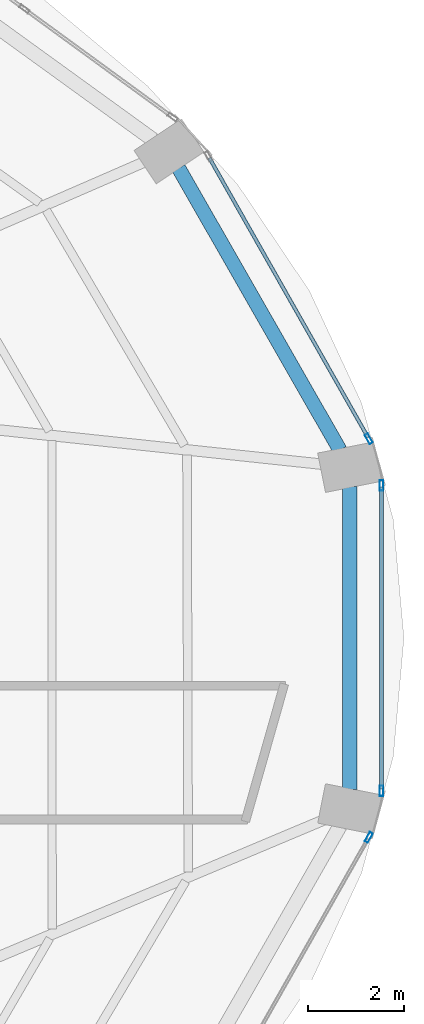
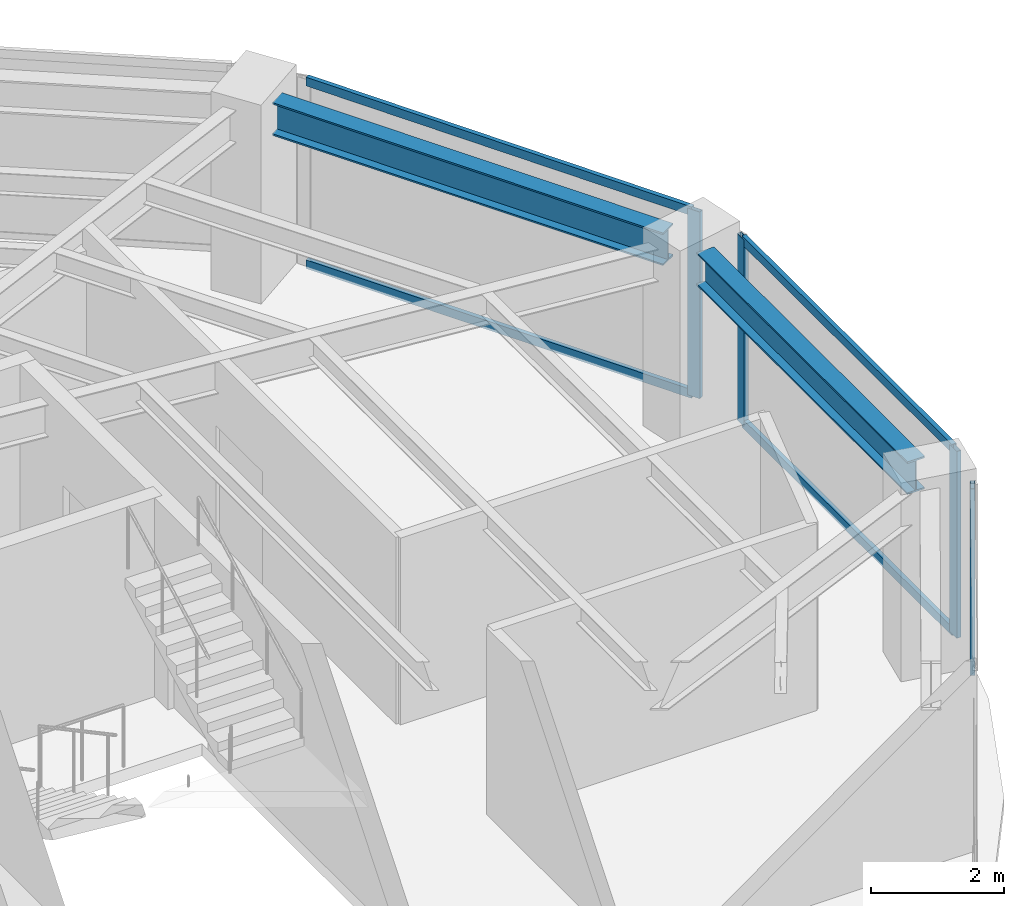
# One storey, part 14 of 24: 8 members, 2 beams, 3 elements without a shape of their own.
"""IFC4 building model written with IfcOpenShell, lengths in metres."""

import ifcopenshell
import ifcopenshell.guid

model = None  # the IFC model being written
_history = None  # IfcOwnerHistory: only IFC2X3 demands one
_inside = {}  # id of a spatial element -> (the spatial element, [elements in it])
_under = {}  # id of a project, library or spatial element -> (it, [spatial elements below it])
_declared = {}  # id of a project -> (the project, [libraries it declares])
_typed = {}  # id of a type object -> (the type object, [elements of that type])
_made_of = {}  # id of a material, layer set ... -> (it, [elements and type objects made of it])


def new_model(schema):
    """Start an empty IFC model of exactly this schema.

    Asked for "IFC4X3", IfcOpenShell would pick the latest addendum, in which some entities
    have other attributes; the version numbers below select the first issue.
    IFC2X3 requires an IfcOwnerHistory on every rooted entity: one is made here for all.
    """
    global model, _history
    if schema == "IFC4X3":
        model = ifcopenshell.file(schema_version=(4, 3, 0, 0))
    else:
        model = ifcopenshell.file(schema=schema)
    _inside.clear()
    _under.clear()
    _declared.clear()
    _typed.clear()
    _made_of.clear()
    _history = None
    if model.schema == "IFC2X3":
        org = make("IfcOrganization", Name="unknown")
        user = make(
            "IfcPersonAndOrganization",
            ThePerson=make("IfcPerson", FamilyName="unknown"),
            TheOrganization=org,
        )
        app = make(
            "IfcApplication",
            ApplicationDeveloper=org,
            Version="unknown",
            ApplicationFullName="unknown",
            ApplicationIdentifier="unknown",
        )
        _history = make(
            "IfcOwnerHistory",
            OwningUser=user,
            OwningApplication=app,
            ChangeAction="ADDED",
            CreationDate=0,
        )
    return model


def make(cls, **values):
    """One entity of the class cls with the attributes given. An attribute that is None is left unset."""
    return model.create_entity(
        cls, **{name: value for name, value in values.items() if value is not None}
    )


def rooted(cls, **values):
    """An entity with a GlobalId (a new one), such as an element, a storey or a relation."""
    return make(cls, GlobalId=ifcopenshell.guid.new(), OwnerHistory=_history, **values)


def si_unit(unit_type, name, prefix=None):
    """IfcSIUnit, for example si_unit("LENGTHUNIT", "METRE", prefix="MILLI")."""
    return make("IfcSIUnit", UnitType=unit_type, Prefix=prefix, Name=name)


def assignment(units):
    """IfcUnitAssignment: the units of a project."""
    return None if units is None else make("IfcUnitAssignment", Units=units)


def point(xyz):
    """IfcCartesianPoint."""
    return None if xyz is None else make("IfcCartesianPoint", Coordinates=xyz)


def direction(xyz):
    """IfcDirection."""
    return None if xyz is None else make("IfcDirection", DirectionRatios=xyz)


def frame(location, z_axis=None, x_axis=None):
    """IfcAxis2Placement3D, a coordinate frame: its origin and axes. An axis left out is left unset."""
    return make(
        "IfcAxis2Placement3D",
        Location=point(location),
        Axis=direction(z_axis),
        RefDirection=direction(x_axis),
    )


def frame_2d(location, x_axis=None):
    """IfcAxis2Placement2D, a coordinate frame in the plane: its origin and x axis."""
    return make(
        "IfcAxis2Placement2D", Location=point(location), RefDirection=direction(x_axis)
    )


def origin():
    """The frame at (0, 0, 0) with its axes left unset."""
    return frame((0.0, 0.0, 0.0))


def origin_2d():
    """The frame at (0, 0) in the plane with its x axis left unset."""
    return frame_2d((0.0, 0.0))


def place(relative_to, where):
    """IfcLocalPlacement: puts the frame where relative to a parent placement (None: the world)."""
    return make(
        "IfcLocalPlacement", PlacementRelTo=relative_to, RelativePlacement=where
    )


def context(
    kind, dimensions, precision=None, world=None, true_north=None, identifier=None
):
    """IfcGeometricRepresentationContext, for example the 3D "Model" context."""
    return make(
        "IfcGeometricRepresentationContext",
        ContextIdentifier=identifier,
        ContextType=kind,
        CoordinateSpaceDimension=dimensions,
        Precision=precision,
        WorldCoordinateSystem=world,
        TrueNorth=true_north,
    )


def subcontext(parent, identifier, kind, view, scale=None):
    """IfcGeometricRepresentationSubContext, for example "Body" below "Model"."""
    return make(
        "IfcGeometricRepresentationSubContext",
        ContextIdentifier=identifier,
        ContextType=kind,
        ParentContext=parent,
        TargetScale=scale,
        TargetView=view,
    )


def project(units=None, contexts=None):
    """IfcProject with its units and contexts."""
    return rooted(
        "IfcProject",
        Name="project",
        RepresentationContexts=contexts,
        UnitsInContext=assignment(units),
    )


def spatial(cls, under=None, at=None, **own):
    """A site, building, storey or space (cls), placed at a placement, below another one or the project."""
    s = rooted(cls, ObjectPlacement=at, **own)
    if under is not None:
        _under.setdefault(under.id(), (under, []))[1].append(s)
    return s


def profile(cls, at=None, kind="AREA", **sizes):
    """A parametric profile (cls). Its sizes go by their IFC names, for example OverallWidth=200.0."""
    return make(cls, ProfileType=kind, Position=at, **sizes)


def hollow_rectangle(**sizes):
    """IfcRectangleHollowProfileDef."""
    return profile("IfcRectangleHollowProfileDef", **sizes)


def i_section(**sizes):
    """IfcIShapeProfileDef."""
    return profile("IfcIShapeProfileDef", **sizes)


def extrude(swept, where, along, depth):
    """IfcExtrudedAreaSolid: the profile swept, set in the frame where, extruded along a direction by depth."""
    return make(
        "IfcExtrudedAreaSolid",
        SweptArea=swept,
        Position=where,
        ExtrudedDirection=direction(along),
        Depth=depth,
    )


def shape(context_of_items, identifier, shape_type, items):
    """IfcShapeRepresentation: the items that make up one representation, for example the "Body"."""
    return make(
        "IfcShapeRepresentation",
        ContextOfItems=context_of_items,
        RepresentationIdentifier=identifier,
        RepresentationType=shape_type,
        Items=items,
    )


def material(Name=None, Category=None):
    """IfcMaterial."""
    return make("IfcMaterial", Name=Name, Category=Category)


def layer(
    of_material, thickness, ventilated=None, Name=None, Category=None, Priority=None
):
    """IfcMaterialLayer: one layer of a wall or slab, of a material (None: an air gap)."""
    return make(
        "IfcMaterialLayer",
        Material=of_material,
        LayerThickness=thickness,
        IsVentilated=ventilated,
        Name=Name,
        Category=Category,
        Priority=Priority,
    )


def layer_set(layers, Name=None):
    """IfcMaterialLayerSet."""
    return make("IfcMaterialLayerSet", MaterialLayers=layers, LayerSetName=Name)


def material_profile(
    of_material, cross_section, Name=None, Category=None, Priority=None
):
    """IfcMaterialProfile: a cross section and its material."""
    return make(
        "IfcMaterialProfile",
        Name=Name,
        Material=of_material,
        Profile=cross_section,
        Priority=Priority,
        Category=Category,
    )


def profile_set(profiles, Name=None, composite=None):
    """IfcMaterialProfileSet."""
    return make(
        "IfcMaterialProfileSet",
        Name=Name,
        MaterialProfiles=profiles,
        CompositeProfile=composite,
    )


def made_of(thing, what):
    """Note that an element or type object is made of a material, layer set ...; save() writes the relation."""
    if what is not None:
        _made_of.setdefault(what.id(), (what, []))[1].append(thing)
    return thing


def type_object(cls, material=None, **own):
    """A type object (cls), such as IfcWallType, which elements share."""
    return made_of(rooted(cls, **own), material)


def element(
    cls,
    number,
    at=None,
    inside=None,
    cuts=None,
    type_object=None,
    material=None,
    context=None,
    identifier="Body",
    shape_type=None,
    held_by="IfcProductDefinitionShape",
    body=None,
    shapes=None,
    **own,
):
    """One element of the class cls, such as IfcWall. Its Tag is "e" and its number.

    at: its placement. inside: the storey or other place that contains it. cuts: it is an
    opening in that element (IfcRelVoidsElement). A single representation is given by context,
    identifier, shape_type and body (its items); several are given by shapes. held_by: the class
    of the entity that holds the representations. save() writes the other relations.
    """
    e = rooted(cls, Tag="e%d" % number, ObjectPlacement=at, **own)
    if body is not None:
        shapes = [shape(context, identifier, shape_type, body)]
    if shapes is not None:
        e.Representation = make(held_by, Representations=shapes)
    if inside is not None:
        _inside.setdefault(inside.id(), (inside, []))[1].append(e)
    if cuts is not None:
        rooted(
            "IfcRelVoidsElement", RelatingBuildingElement=cuts, RelatedOpeningElement=e
        )
    if type_object is not None:
        _typed.setdefault(type_object.id(), (type_object, []))[1].append(e)
    return made_of(e, material)


def aggregate(whole, parts):
    """IfcRelAggregates: a whole, such as a stair, and the parts it consists of."""
    return rooted("IfcRelAggregates", RelatingObject=whole, RelatedObjects=parts)


def save(model, path):
    """Write the relations noted so far, then the file.

    IfcRelAggregates (storeys below a building ...), IfcRelContainedInSpatialStructure (elements
    in a storey), IfcRelDefinesByType, IfcRelAssociatesMaterial and IfcRelDeclares: one each for
    every whole, place, type object, material and project.
    """
    for whole, parts in _under.values():
        aggregate(whole, parts)
    for where, things in _inside.values():
        rooted(
            "IfcRelContainedInSpatialStructure",
            RelatedElements=things,
            RelatingStructure=where,
        )
    for kind, things in _typed.values():
        rooted("IfcRelDefinesByType", RelatedObjects=things, RelatingType=kind)
    for what, things in _made_of.values():
        rooted("IfcRelAssociatesMaterial", RelatedObjects=things, RelatingMaterial=what)
    for by, libraries in _declared.values():
        rooted("IfcRelDeclares", RelatingContext=by, RelatedDefinitions=libraries)
    model.write(path)


model = new_model("IFC4")

# Units and contexts
model_context = context("Model", 3, precision=1e-05, world=origin(), true_north=direction((0.0, 1.0)))
body_context = subcontext(model_context, "Body", "Model", "MODEL_VIEW")
ifc_project = project(units=[si_unit("LENGTHUNIT", "METRE"), si_unit("AREAUNIT", "SQUARE_METRE"), si_unit("VOLUMEUNIT", "CUBIC_METRE"), si_unit("PLANEANGLEUNIT", "RADIAN"), si_unit("MASSUNIT", "GRAM", prefix="KILO")], contexts=[model_context])

# Site, building, storey
site_placement = place(None, origin())
site = spatial("IfcSite", under=ifc_project, at=site_placement, CompositionType="ELEMENT")
building_placement = place(site_placement, origin())
building = spatial("IfcBuilding", under=site, at=building_placement, Name="Lazwardi Medical Tower", CompositionType="ELEMENT")
storey_placement = place(building_placement, frame((0.0, 0.0, 114.575927734375)))
storey = spatial("IfcBuildingStorey", under=building, at=storey_placement, Name="L29", CompositionType="ELEMENT", Elevation=114.575927734375)

# Beams
ifc_material_1 = material(Name="Steel S355", Category="steel")
ifc_material_profile_1 = material_profile(ifc_material_1, i_section(OverallWidth=0.300048828125, OverallDepth=0.60009765625, WebThickness=0.015380859375, FlangeThickness=0.030029296875, at=origin_2d()), Name="HEB 600")
ifc_profile_set_1 = profile_set([ifc_material_profile_1], Name="Steel S355")
beam_type = type_object("IfcBeamType", Name="BM-RB-Z2", PredefinedType="BEAM", material=ifc_profile_set_1)
beam_1_placement = place(storey_placement, frame((60.86279296875, 27.22998046875, 3.128173828125), z_axis=(0.0, 1.0, 0.0), x_axis=(-1.0, 0.0, 0.0)))
element("IfcBeam", 1, at=beam_1_placement, inside=storey, type_object=beam_type, Name="Ring beam RB-03 B04 L29", PredefinedType="BEAM", context=body_context, shape_type="SweptSolid", body=[
    extrude(i_section(OverallWidth=0.300048828125, OverallDepth=0.60009765625, WebThickness=0.015380859375, FlangeThickness=0.030029296875, at=origin_2d()), origin(), (0.0, 0.0, 1.0), 6.33984375),
])
beam_2_placement = place(storey_placement, frame((60.6591796875, 34.335693359375, 3.128173828125), z_axis=(-0.496637551254, 0.867958030486, 0.0), x_axis=(-0.867958030486, -0.496637551254, 0.0)))
element("IfcBeam", 2, at=beam_2_placement, inside=storey, type_object=beam_type, Name="Ring beam RB-03 B05 L29", PredefinedType="BEAM", context=body_context, shape_type="SweptSolid", body=[
    extrude(i_section(OverallWidth=0.300048828125, OverallDepth=0.60009765625, WebThickness=0.015380859375, FlangeThickness=0.030029296875, at=origin_2d()), origin(), (0.0, 0.0, 1.0), 6.801025390625),
])

# Curtain wall, member
ifc_material_2 = material(Name="Anodised bronze aluminium and solar control glazing", Category="aluminium")
ifc_layer = layer(ifc_material_2, 0.195068359375)
ifc_layer_set = layer_set([ifc_layer], Name="Anodised bronze aluminium and solar control glazing")
curtain_wall_type = type_object("IfcCurtainWallType", Name="CW-SYS-03", PredefinedType="NOTDEFINED", material=ifc_layer_set)
curtain_wall_1_placement = place(storey_placement, origin())
curtain_wall_1 = element("IfcCurtainWall", 3, at=curtain_wall_1_placement, inside=storey, type_object=curtain_wall_type, Name="L29 Unitised bronze curtain wall CW-03", PredefinedType="NOTDEFINED")
ifc_material_3 = material(Name="Anodised bronze aluminium", Category="aluminium")
ifc_material_profile_2 = material_profile(ifc_material_3, hollow_rectangle(XDim=0.074951171875, YDim=0.219970703125, WallThickness=0.00390625, at=origin_2d()), Name="ALU-MULLION 220x75x4")
ifc_profile_set_2 = profile_set([ifc_material_profile_2], Name="Anodised bronze aluminium")
member_type_1 = type_object("IfcMemberType", Name="CW-MUL-01", PredefinedType="MULLION", material=ifc_profile_set_2)
member_1_placement = place(storey_placement, frame((61.2626953125, 26.22607421875, 0.0), z_axis=(0.0, 0.0, 1.0), x_axis=(-0.869687265712, 0.493603140041, 0.0)))
member_1 = element("IfcMember", 4, at=member_1_placement, type_object=member_type_1, Name="CW-03 mullion 2", PredefinedType="MULLION", context=body_context, shape_type="SweptSolid", body=[
    extrude(hollow_rectangle(XDim=0.074951171875, YDim=0.219970703125, WallThickness=0.00390625, at=origin_2d()), origin(), (0.0, 0.0, 1.0), 3.427978515625),
])
aggregate(curtain_wall_1, [member_1])

# Curtain wall, members
curtain_wall_2_placement = place(storey_placement, origin())
curtain_wall_2 = element("IfcCurtainWall", 5, at=curtain_wall_2_placement, inside=storey, type_object=curtain_wall_type, Name="L29 Unitised bronze curtain wall CW-03", PredefinedType="NOTDEFINED")
member_2_placement = place(storey_placement, frame((61.528076171875, 27.20263671875, 0.0), z_axis=(0.0, 0.0, 1.0), x_axis=(-1.0, 0.0, 0.0)))
member_2 = element("IfcMember", 6, at=member_2_placement, type_object=member_type_1, Name="CW-03 mullion 1", PredefinedType="MULLION", context=body_context, shape_type="SweptSolid", body=[
    extrude(hollow_rectangle(XDim=0.074951171875, YDim=0.219970703125, WallThickness=0.00390625, at=origin_2d()), origin(), (0.0, 0.0, 1.0), 3.427978515625),
])
member_3_placement = place(storey_placement, frame((61.528076171875, 33.597412109375, 0.0), z_axis=(0.0, 0.0, 1.0), x_axis=(-1.0, 0.0, 0.0)))
member_3 = element("IfcMember", 7, at=member_3_placement, type_object=member_type_1, Name="CW-03 mullion 2", PredefinedType="MULLION", context=body_context, shape_type="SweptSolid", body=[
    extrude(hollow_rectangle(XDim=0.074951171875, YDim=0.219970703125, WallThickness=0.00390625, at=origin_2d()), origin(), (0.0, 0.0, 1.0), 3.427978515625),
])

# Curtain wall, member
curtain_wall_3_placement = place(storey_placement, origin())
curtain_wall_3 = element("IfcCurtainWall", 8, at=curtain_wall_3_placement, inside=storey, type_object=curtain_wall_type, Name="L29 Unitised bronze curtain wall CW-03", PredefinedType="NOTDEFINED")
member_4_placement = place(storey_placement, frame((61.2626953125, 34.57373046875, 0.0), z_axis=(0.0, 0.0, 1.0), x_axis=(-0.869687265712, -0.493603140041, 0.0)))
member_4 = element("IfcMember", 9, at=member_4_placement, type_object=member_type_1, Name="CW-03 mullion 1", PredefinedType="MULLION", context=body_context, shape_type="SweptSolid", body=[
    extrude(hollow_rectangle(XDim=0.074951171875, YDim=0.219970703125, WallThickness=0.00390625, at=origin_2d()), origin(), (0.0, 0.0, 1.0), 3.427978515625),
])

# Member
ifc_material_profile_3 = material_profile(ifc_material_3, hollow_rectangle(XDim=0.074951171875, YDim=0.159912109375, WallThickness=0.00390625, at=origin_2d()), Name="ALU-TRANSOM 160x75x4")
ifc_profile_set_3 = profile_set([ifc_material_profile_3], Name="Anodised bronze aluminium")
member_type_2 = type_object("IfcMemberType", Name="CW-TRN-01", PredefinedType="USERDEFINED", material=ifc_profile_set_3)
member_5_placement = place(storey_placement, frame((61.528076171875, 27.239990234375, 0.03759765625), z_axis=(0.0, 1.0, 0.0), x_axis=(-1.0, 0.0, 0.0)))
member_5 = element("IfcMember", 10, at=member_5_placement, type_object=member_type_2, Name="CW-03 transom 1.1", ObjectType="TRANSOM", PredefinedType="USERDEFINED", context=body_context, shape_type="SweptSolid", body=[
    extrude(hollow_rectangle(XDim=0.074951171875, YDim=0.159912109375, WallThickness=0.00390625, at=origin_2d()), origin(), (0.0, 0.0, 1.0), 6.31982421875),
])

member_6_placement = place(storey_placement, frame((61.528076171875, 27.239990234375, 3.390625), z_axis=(0.0, 1.0, 0.0), x_axis=(-1.0, 0.0, 0.0)))
member_6 = element("IfcMember", 11, at=member_6_placement, type_object=member_type_2, Name="CW-03 transom 1.2", ObjectType="TRANSOM", PredefinedType="USERDEFINED", context=body_context, shape_type="SweptSolid", body=[
    extrude(hollow_rectangle(XDim=0.074951171875, YDim=0.159912109375, WallThickness=0.00390625, at=origin_2d()), origin(), (0.0, 0.0, 1.0), 6.31982421875),
])

aggregate(curtain_wall_2, [member_2, member_3, member_5, member_6])

member_7_placement = place(storey_placement, frame((61.244140625, 34.6064453125, 0.03759765625), z_axis=(-0.493614427365, 0.869680859337, 0.0), x_axis=(-0.869680859337, -0.493614427365, 0.0)))
member_7 = element("IfcMember", 12, at=member_7_placement, type_object=member_type_2, Name="CW-03 transom 1.1", ObjectType="TRANSOM", PredefinedType="USERDEFINED", context=body_context, shape_type="SweptSolid", body=[
    extrude(hollow_rectangle(XDim=0.074951171875, YDim=0.159912109375, WallThickness=0.00390625, at=origin_2d()), origin(), (0.0, 0.0, 1.0), 6.72314453125),
])

member_8_placement = place(storey_placement, frame((61.244140625, 34.6064453125, 3.390625), z_axis=(-0.493614427365, 0.869680859337, 0.0), x_axis=(-0.869680859337, -0.493614427365, 0.0)))
member_8 = element("IfcMember", 13, at=member_8_placement, type_object=member_type_2, Name="CW-03 transom 1.2", ObjectType="TRANSOM", PredefinedType="USERDEFINED", context=body_context, shape_type="SweptSolid", body=[
    extrude(hollow_rectangle(XDim=0.074951171875, YDim=0.159912109375, WallThickness=0.00390625, at=origin_2d()), origin(), (0.0, 0.0, 1.0), 6.72314453125),
])

aggregate(curtain_wall_3, [member_4, member_7, member_8])

save(model, "model.ifc")
